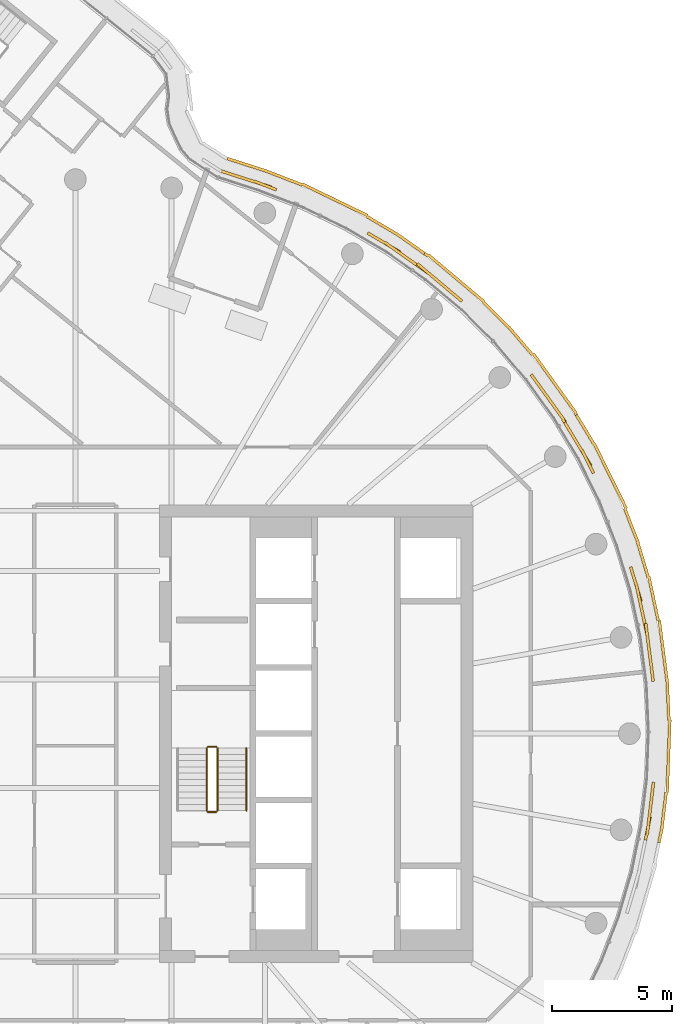
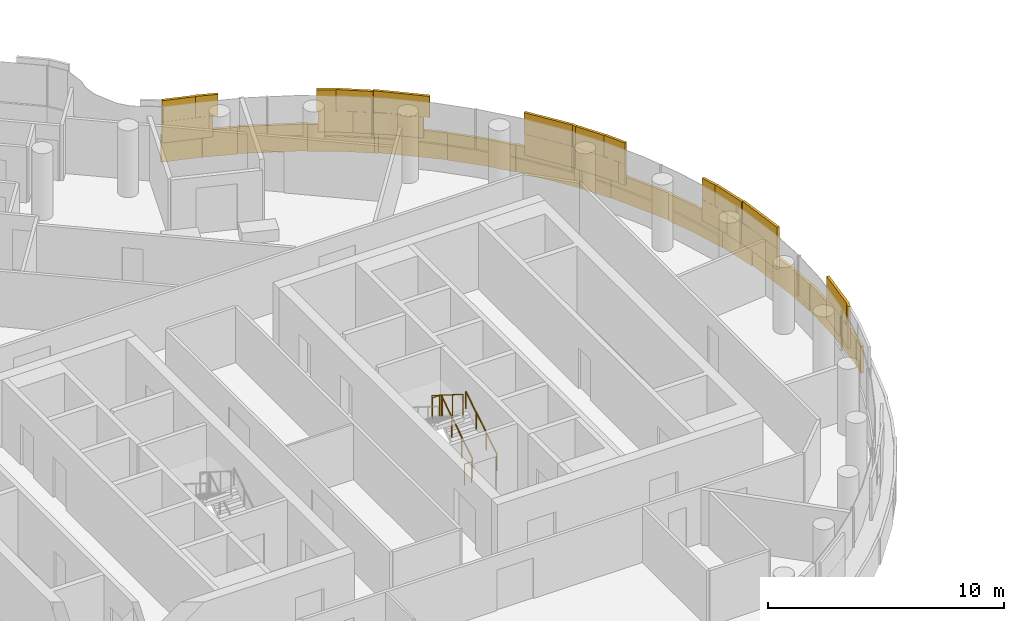
# One storey, part 23 of 25: 5 railings, 4 coverings.
"""IFC4 building model written with IfcOpenShell, lengths in metres."""

from ifc_helpers import new_model, si_unit, direction, frame, origin, origin_2d, place, context, subcontext, project, spatial, rectangle, circle, extrude, material, layer, layer_set, type_object, element, save


model = new_model("IFC4")

# Units and contexts
model_context = context("Model", 3, precision=1e-05, world=origin(), true_north=direction((0.0, 1.0)))
body_context = subcontext(model_context, "Body", "Model", "MODEL_VIEW")
ifc_project = project(units=[si_unit("LENGTHUNIT", "METRE"), si_unit("AREAUNIT", "SQUARE_METRE"), si_unit("VOLUMEUNIT", "CUBIC_METRE"), si_unit("PLANEANGLEUNIT", "RADIAN"), si_unit("MASSUNIT", "GRAM", prefix="KILO")], contexts=[model_context])

# Site, building, storey
site_placement = place(None, origin())
site = spatial("IfcSite", under=ifc_project, at=site_placement, CompositionType="ELEMENT")
building_placement = place(site_placement, origin())
building = spatial("IfcBuilding", under=site, at=building_placement, Name="Tamarind Cross Interchange Tower", CompositionType="ELEMENT")
storey_placement = place(building_placement, frame((0.0, 0.0, 219.89990234375)))
storey = spatial("IfcBuildingStorey", under=building, at=storey_placement, Name="L55", CompositionType="ELEMENT", Elevation=219.89990234375)

# Railings
ifc_material_1 = material(Name="Stair guard")
railing_type_1 = type_object("IfcRailingType", Name="Stair guard", PredefinedType="GUARDRAIL", material=ifc_material_1)
railing_1_placement = place(storey_placement, frame((5.89990234375, -3.199951171875, 0.163818359375)))
element("IfcRailing", 1, at=railing_1_placement, inside=storey, type_object=railing_type_1, Name="L55 ST2 stair guard 1", PredefinedType="GUARDRAIL", context=body_context, shape_type="SweptSolid", body=[
    extrude(circle(Radius=0.02392578125, at=origin_2d()), frame((0.0, 0.0, 1.076171875), z_axis=(0.0, 0.846337672412, 0.532646734952), x_axis=(-1.0, 0.0, 0.0)), (0.0, 0.0, 1.0), 3.07177734375),
    extrude(circle(Radius=0.02099609375, at=origin_2d()), origin(), (0.0, 0.0, 1.0), 1.052001953125),
    extrude(circle(Radius=0.02099609375, at=origin_2d()), frame((0.0, 0.86669921875, 0.54541015625)), (0.0, 0.0, 1.0), 1.052001953125),
    extrude(circle(Radius=0.02099609375, at=origin_2d()), frame((0.0, 1.733154296875, 1.0908203125)), (0.0, 0.0, 1.0), 1.052001953125),
    extrude(circle(Radius=0.02099609375, at=origin_2d()), frame((0.0, 2.599853515625, 1.63623046875)), (0.0, 0.0, 1.0), 1.052001953125),
])
railing_2_placement = place(storey_placement, frame((5.85009765625, -0.550048828125, 1.800048828125)))
element("IfcRailing", 2, at=railing_2_placement, inside=storey, type_object=railing_type_1, Name="L55 ST2 stair guard 2", PredefinedType="GUARDRAIL", context=body_context, shape_type="SweptSolid", body=[
    extrude(circle(Radius=0.02392578125, at=origin_2d()), frame((0.0, 0.0, 1.076171875), z_axis=(-1.0, 0.0, 0.0), x_axis=(0.0, -1.0, 0.0)), (0.0, 0.0, 1.0), 0.35009765625),
    extrude(circle(Radius=0.02099609375, at=origin_2d()), origin(), (0.0, 0.0, 1.0), 1.052001953125),
    extrude(circle(Radius=0.02099609375, at=origin_2d()), frame((-0.35009765625, 0.0, 0.0)), (0.0, 0.0, 1.0), 1.052001953125),
])
railing_3_placement = place(storey_placement, frame((5.449951171875, -0.60009765625, 1.963623046875)))
element("IfcRailing", 3, at=railing_3_placement, inside=storey, type_object=railing_type_1, Name="L55 ST2 stair guard 3", PredefinedType="GUARDRAIL", context=body_context, shape_type="SweptSolid", body=[
    extrude(circle(Radius=0.02392578125, at=origin_2d()), frame((0.0, 0.0, 1.076171875), z_axis=(0.0, -0.846301844409, 0.532703658848), x_axis=(1.0, 0.0, 0.0)), (0.0, 0.0, 1.0), 3.072021484375),
    extrude(circle(Radius=0.02099609375, at=origin_2d()), origin(), (0.0, 0.0, 1.0), 1.052001953125),
    extrude(circle(Radius=0.02099609375, at=origin_2d()), frame((0.0, -0.86669921875, 0.54541015625)), (0.0, 0.0, 1.0), 1.052001953125),
    extrude(circle(Radius=0.02099609375, at=origin_2d()), frame((0.0, -1.733154296875, 1.091064453125)), (0.0, 0.0, 1.0), 1.052001953125),
    extrude(circle(Radius=0.02099609375, at=origin_2d()), frame((0.0, -2.599853515625, 1.636474609375)), (0.0, 0.0, 1.0), 1.052001953125),
])
railing_4_placement = place(storey_placement, frame((5.85009765625, -3.25, 0.0)))
element("IfcRailing", 4, at=railing_4_placement, inside=storey, type_object=railing_type_1, Name="L55 ST2 stair guard 4", PredefinedType="GUARDRAIL", context=body_context, shape_type="SweptSolid", body=[
    extrude(circle(Radius=0.02392578125, at=origin_2d()), frame((0.0, 0.0, 1.076171875), z_axis=(-1.0, 0.0, 0.0), x_axis=(0.0, -1.0, 0.0)), (0.0, 0.0, 1.0), 0.35009765625),
    extrude(circle(Radius=0.02099609375, at=origin_2d()), origin(), (0.0, 0.0, 1.0), 1.052001953125),
    extrude(circle(Radius=0.02099609375, at=origin_2d()), frame((-0.35009765625, 0.0, 0.0)), (0.0, 0.0, 1.0), 1.052001953125),
])
ifc_material_2 = material(Name="Stair handrail")
railing_type_2 = type_object("IfcRailingType", Name="Stair handrail", PredefinedType="HANDRAIL", material=ifc_material_2)
railing_5_placement = place(storey_placement, frame((7.10009765625, -3.199951171875, 0.163818359375)))
element("IfcRailing", 5, at=railing_5_placement, inside=storey, type_object=railing_type_2, Name="L55 ST2 stair handrail 1", PredefinedType="HANDRAIL", context=body_context, shape_type="SweptSolid", body=[
    extrude(circle(Radius=0.02392578125, at=origin_2d()), frame((0.0, 0.0, 0.8759765625), z_axis=(0.0, 0.846337672412, 0.532646734952), x_axis=(-1.0, 0.0, 0.0)), (0.0, 0.0, 1.0), 3.07177734375),
    extrude(circle(Radius=0.02099609375, at=origin_2d()), origin(), (0.0, 0.0, 1.0), 0.851806640625),
    extrude(circle(Radius=0.02099609375, at=origin_2d()), frame((0.0, 0.86669921875, 0.54541015625)), (0.0, 0.0, 1.0), 0.851806640625),
    extrude(circle(Radius=0.02099609375, at=origin_2d()), frame((0.0, 1.733154296875, 1.0908203125)), (0.0, 0.0, 1.0), 0.851806640625),
    extrude(circle(Radius=0.02099609375, at=origin_2d()), frame((0.0, 2.599853515625, 1.63623046875)), (0.0, 0.0, 1.0), 0.851806640625),
])

# Coverings
ifc_material_3 = material(Name="Terracotta", Category="masonry")
ifc_layer = layer(ifc_material_3, 0.1201171875)
ifc_layer_set = layer_set([ifc_layer], Name="Terracotta")
covering_type = type_object("IfcCoveringType", Name="Terracotta baguette screen unit", PredefinedType="MOLDING", material=ifc_layer_set)
covering_1_placement = place(storey_placement, origin())
element("IfcCovering", 6, at=covering_1_placement, inside=storey, type_object=covering_type, Name="SCR-L55-02-06", PredefinedType="MOLDING", context=body_context, shape_type="SweptSolid", body=[
    extrude(rectangle(XDim=0.984130859375, YDim=0.1201171875, at=origin_2d()), frame((23.758544921875, -3.938720703125, 1.404296875), z_axis=(0.0, 0.0, 1.0), x_axis=(0.201001463943, 0.9795909409, 0.0)), (0.0, 0.0, 1.0), 1.092041015625),
    extrude(rectangle(XDim=1.457275390625, YDim=0.1201171875, at=origin_2d()), frame((23.90966796875, -2.73779296875, 1.404296875), z_axis=(0.0, 0.0, 1.0), x_axis=(0.119420963295, 0.992843710523, 0.0)), (0.0, 0.0, 1.0), 1.092041015625),
    extrude(rectangle(XDim=0.36279296875, YDim=0.1201171875, at=origin_2d()), frame((23.961669921875, 2.350341796875, 1.404296875), z_axis=(0.0, 0.0, 1.0), x_axis=(-0.127962008342, 0.991779070368, 0.0)), (0.0, 0.0, 1.0), 1.092041015625),
    extrude(rectangle(XDim=1.52001953125, YDim=0.1201171875, at=origin_2d()), frame((23.843017578125, 3.26904296875, 1.404296875), z_axis=(0.0, 0.0, 1.0), x_axis=(-0.127962008342, 0.991779070368, 0.0)), (0.0, 0.0, 1.0), 1.092041015625),
    extrude(rectangle(XDim=0.578369140625, YDim=0.1201171875, at=origin_2d()), frame((23.692138671875, 4.291748046875, 1.404296875), z_axis=(0.0, 0.0, 1.0), x_axis=(-0.209425419705, 0.977824623121, 0.0)), (0.0, 0.0, 1.0), 1.092041015625),
    extrude(rectangle(XDim=0.234130859375, YDim=0.1201171875, at=origin_2d()), frame((23.683349609375, -4.30615234375, 2.50390625), z_axis=(0.0, 0.0, 1.0), x_axis=(0.201001463943, 0.9795909409, 0.0)), (0.0, 0.0, 1.0), 1.092041015625),
    extrude(rectangle(XDim=1.52001953125, YDim=0.1201171875, at=origin_2d()), frame((23.8232421875, -3.456298828125, 2.50390625), z_axis=(0.0, 0.0, 1.0), x_axis=(0.119420963295, 0.992843710523, 0.0)), (0.0, 0.0, 1.0), 1.092041015625),
    extrude(rectangle(XDim=0.707275390625, YDim=0.1201171875, at=origin_2d()), frame((23.954345703125, -2.365478515625, 2.50390625), z_axis=(0.0, 0.0, 1.0), x_axis=(0.119420963295, 0.992843710523, 0.0)), (0.0, 0.0, 1.0), 1.092041015625),
    extrude(rectangle(XDim=1.11279296875, YDim=0.1201171875, at=origin_2d()), frame((23.91357421875, 2.72216796875, 2.50390625), z_axis=(0.0, 0.0, 1.0), x_axis=(-0.127962008342, 0.991779070368, 0.0)), (0.0, 0.0, 1.0), 1.092041015625),
    extrude(rectangle(XDim=1.328369140625, YDim=0.1201171875, at=origin_2d()), frame((23.7587890625, 3.9228515625, 2.50390625), z_axis=(0.0, 0.0, 1.0), x_axis=(-0.127962008342, 0.991779070368, 0.0)), (0.0, 0.0, 1.0), 1.092041015625),
    extrude(rectangle(XDim=0.627197265625, YDim=0.1201171875, at=origin_2d()), frame((24.2880859375, -4.214111328125, 0.004150390625), z_axis=(0.0, 0.0, 1.0), x_axis=(0.201001463943, 0.9795909409, 0.0)), (0.0, 0.0, 1.0), 1.39208984375),
    extrude(rectangle(XDim=1.52001953125, YDim=0.1201171875, at=origin_2d()), frame((24.435546875, -3.171630859375, 0.004150390625), z_axis=(0.0, 0.0, 1.0), x_axis=(0.119420963295, 0.992843710523, 0.0)), (0.0, 0.0, 1.0), 1.39208984375),
    extrude(rectangle(XDim=1.52001953125, YDim=0.1201171875, at=origin_2d()), frame((24.593994140625, -1.6806640625, 0.004150390625), z_axis=(0.0, 0.0, 1.0), x_axis=(0.037024696392, 0.999314350871, 0.0)), (0.0, 0.0, 1.0), 1.39208984375),
    extrude(rectangle(XDim=1.52001953125, YDim=0.1201171875, at=origin_2d()), frame((24.649658203125, -0.181640625, 0.004150390625), z_axis=(0.0, 0.0, 1.0), x_axis=(0.037024696392, 0.999314350871, 0.0)), (0.0, 0.0, 1.0), 1.39208984375),
    extrude(rectangle(XDim=1.52001953125, YDim=0.1201171875, at=origin_2d()), frame((24.60498046875, 1.31689453125, 0.004150390625), z_axis=(0.0, 0.0, 1.0), x_axis=(-0.045624486728, 0.998958660912, 0.0)), (0.0, 0.0, 1.0), 1.39208984375),
    extrude(rectangle(XDim=1.52001953125, YDim=0.1201171875, at=origin_2d()), frame((24.481201171875, 2.810546875, 0.004150390625), z_axis=(0.0, 0.0, 1.0), x_axis=(-0.127962008342, 0.991779070368, 0.0)), (0.0, 0.0, 1.0), 1.39208984375),
    extrude(rectangle(XDim=1.151123046875, YDim=0.1201171875, at=origin_2d()), frame((24.312744140625, 4.115234375, 0.004150390625), z_axis=(0.0, 0.0, 1.0), x_axis=(-0.127962008342, 0.991779070368, 0.0)), (0.0, 0.0, 1.0), 1.39208984375),
])
covering_2_placement = place(storey_placement, origin())
element("IfcCovering", 7, at=covering_2_placement, inside=storey, type_object=covering_type, Name="SCR-L55-02-07", PredefinedType="MOLDING", context=body_context, shape_type="SweptSolid", body=[
    extrude(rectangle(XDim=0.94140625, YDim=0.1201171875, at=origin_2d()), frame((23.534912109375, 5.025146484375, 1.404296875), z_axis=(0.0, 0.0, 1.0), x_axis=(-0.209425419705, 0.977824623121, 0.0)), (0.0, 0.0, 1.0), 1.092041015625),
    extrude(rectangle(XDim=1.500244140625, YDim=0.1201171875, at=origin_2d()), frame((23.265380859375, 6.204833984375, 1.404296875), z_axis=(0.0, 0.0, 1.0), x_axis=(-0.289458243079, 0.957190642199, 0.0)), (0.0, 0.0, 1.0), 1.092041015625),
    extrude(rectangle(XDim=0.31982421875, YDim=0.1201171875, at=origin_2d()), frame((21.43115234375, 10.952392578125, 1.404296875), z_axis=(0.0, 0.0, 1.0), x_axis=(-0.443058811505, 0.896492548518, 0.0)), (0.0, 0.0, 1.0), 1.092041015625),
    extrude(rectangle(XDim=1.52001953125, YDim=0.1201171875, at=origin_2d()), frame((21.013427734375, 11.75439453125, 1.404296875), z_axis=(0.0, 0.0, 1.0), x_axis=(-0.515577308909, 0.856843065292, 0.0)), (0.0, 0.0, 1.0), 1.092041015625),
    extrude(rectangle(XDim=0.621826171875, YDim=0.1201171875, at=origin_2d()), frame((20.468994140625, 12.6591796875, 1.404296875), z_axis=(0.0, 0.0, 1.0), x_axis=(-0.515577308909, 0.856843065292, 0.0)), (0.0, 0.0, 1.0), 1.092041015625),
    extrude(rectangle(XDim=0.19140625, YDim=0.1201171875, at=origin_2d()), frame((23.613525390625, 4.658447265625, 2.50390625), z_axis=(0.0, 0.0, 1.0), x_axis=(-0.209425419705, 0.977824623121, 0.0)), (0.0, 0.0, 1.0), 1.092041015625),
    extrude(rectangle(XDim=1.52001953125, YDim=0.1201171875, at=origin_2d()), frame((23.4375, 5.48046875, 2.50390625), z_axis=(0.0, 0.0, 1.0), x_axis=(-0.209425419705, 0.977824623121, 0.0)), (0.0, 0.0, 1.0), 1.092041015625),
    extrude(rectangle(XDim=0.750244140625, YDim=0.1201171875, at=origin_2d()), frame((23.15673828125, 6.56396484375, 2.50390625), z_axis=(0.0, 0.0, 1.0), x_axis=(-0.289458243079, 0.957190642199, 0.0)), (0.0, 0.0, 1.0), 1.092041015625),
    extrude(rectangle(XDim=1.06982421875, YDim=0.1201171875, at=origin_2d()), frame((21.26513671875, 11.28857421875, 2.50390625), z_axis=(0.0, 0.0, 1.0), x_axis=(-0.443058811505, 0.896492548518, 0.0)), (0.0, 0.0, 1.0), 1.092041015625),
    extrude(rectangle(XDim=1.371826171875, YDim=0.1201171875, at=origin_2d()), frame((20.662353515625, 12.337890625, 2.50390625), z_axis=(0.0, 0.0, 1.0), x_axis=(-0.515577308909, 0.856843065292, 0.0)), (0.0, 0.0, 1.0), 1.092041015625),
    extrude(rectangle(XDim=0.368896484375, YDim=0.1201171875, at=origin_2d()), frame((24.157470703125, 4.85888671875, 0.004150390625), z_axis=(0.0, 0.0, 1.0), x_axis=(-0.209425419705, 0.977824623121, 0.0)), (0.0, 0.0, 1.0), 1.39208984375),
    extrude(rectangle(XDim=1.52001953125, YDim=0.1201171875, at=origin_2d()), frame((23.9638671875, 5.762939453125, 0.004150390625), z_axis=(0.0, 0.0, 1.0), x_axis=(-0.209425419705, 0.977824623121, 0.0)), (0.0, 0.0, 1.0), 1.39208984375),
    extrude(rectangle(XDim=1.52001953125, YDim=0.1201171875, at=origin_2d()), frame((23.56201171875, 7.20703125, 0.004150390625), z_axis=(0.0, 0.0, 1.0), x_axis=(-0.289458243079, 0.957190642199, 0.0)), (0.0, 0.0, 1.0), 1.39208984375),
    extrude(rectangle(XDim=1.52001953125, YDim=0.1201171875, at=origin_2d()), frame((23.084228515625, 8.627685546875, 0.004150390625), z_axis=(0.0, 0.0, 1.0), x_axis=(-0.367513773146, 0.930018078613, 0.0)), (0.0, 0.0, 1.0), 1.39208984375),
    extrude(rectangle(XDim=1.52001953125, YDim=0.1201171875, at=origin_2d()), frame((22.53125, 10.02197265625, 0.004150390625), z_axis=(0.0, 0.0, 1.0), x_axis=(-0.443058811505, 0.896492548518, 0.0)), (0.0, 0.0, 1.0), 1.39208984375),
    extrude(rectangle(XDim=1.52001953125, YDim=0.1201171875, at=origin_2d()), frame((21.86669921875, 11.36669921875, 0.004150390625), z_axis=(0.0, 0.0, 1.0), x_axis=(-0.443058811505, 0.896492548518, 0.0)), (0.0, 0.0, 1.0), 1.39208984375),
    extrude(rectangle(XDim=1.41015625, YDim=0.1201171875, at=origin_2d()), frame((21.1591796875, 12.62548828125, 0.004150390625), z_axis=(0.0, 0.0, 1.0), x_axis=(-0.515577308909, 0.856843065292, 0.0)), (0.0, 0.0, 1.0), 1.39208984375),
])
covering_3_placement = place(storey_placement, origin())
element("IfcCovering", 8, at=covering_3_placement, inside=storey, type_object=covering_type, Name="SCR-L55-02-08", PredefinedType="MOLDING", context=body_context, shape_type="SweptSolid", body=[
    extrude(rectangle(XDim=0.898193359375, YDim=0.1201171875, at=origin_2d()), frame((20.078857421875, 13.299560546875, 1.404296875), z_axis=(0.0, 0.0, 1.0), x_axis=(-0.584573890505, 0.811340475102, 0.0)), (0.0, 0.0, 1.0), 1.092041015625),
    extrude(rectangle(XDim=1.52001953125, YDim=0.1201171875, at=origin_2d()), frame((19.380859375, 14.2685546875, 1.404296875), z_axis=(0.0, 0.0, 1.0), x_axis=(-0.584573890505, 0.811340475102, 0.0)), (0.0, 0.0, 1.0), 1.092041015625),
    extrude(rectangle(XDim=1.52001953125, YDim=0.1201171875, at=origin_2d()), frame((15.263671875, 18.607421875, 1.404296875), z_axis=(0.0, 0.0, 1.0), x_axis=(-0.765858396687, 0.643009266048, 0.0)), (0.0, 0.0, 1.0), 1.092041015625),
    extrude(rectangle(XDim=0.66455078125, YDim=0.1201171875, at=origin_2d()), frame((14.420654296875, 19.27685546875, 1.404296875), z_axis=(0.0, 0.0, 1.0), x_axis=(-0.816341886298, 0.577568978284, 0.0)), (0.0, 0.0, 1.0), 1.092041015625),
    extrude(rectangle(XDim=0.148193359375, YDim=0.1201171875, at=origin_2d()), frame((20.275634765625, 12.98046875, 2.50390625), z_axis=(0.0, 0.0, 1.0), x_axis=(-0.515577308909, 0.856843065292, 0.0)), (0.0, 0.0, 1.0), 1.092041015625),
    extrude(rectangle(XDim=1.52001953125, YDim=0.1201171875, at=origin_2d()), frame((19.8193359375, 13.659912109375, 2.50390625), z_axis=(0.0, 0.0, 1.0), x_axis=(-0.584573890505, 0.811340475102, 0.0)), (0.0, 0.0, 1.0), 1.092041015625),
    extrude(rectangle(XDim=0.793212890625, YDim=0.1201171875, at=origin_2d()), frame((19.15185546875, 14.586181640625, 2.50390625), z_axis=(0.0, 0.0, 1.0), x_axis=(-0.584573890505, 0.811340475102, 0.0)), (0.0, 0.0, 1.0), 1.092041015625),
    extrude(rectangle(XDim=1.02685546875, YDim=0.1201171875, at=origin_2d()), frame((15.653076171875, 18.280517578125, 2.50390625), z_axis=(0.0, 0.0, 1.0), x_axis=(-0.765858396687, 0.643009266048, 0.0)), (0.0, 0.0, 1.0), 1.092041015625),
    extrude(rectangle(XDim=1.41455078125, YDim=0.1201171875, at=origin_2d()), frame((14.72607421875, 19.05908203125, 2.50390625), z_axis=(0.0, 0.0, 1.0), x_axis=(-0.765858396687, 0.643009266048, 0.0)), (0.0, 0.0, 1.0), 1.092041015625),
    extrude(rectangle(XDim=0.10986328125, YDim=0.1201171875, at=origin_2d()), frame((20.767333984375, 13.276611328125, 0.004150390625), z_axis=(0.0, 0.0, 1.0), x_axis=(-0.515577308909, 0.856843065292, 0.0)), (0.0, 0.0, 1.0), 1.39208984375),
    extrude(rectangle(XDim=1.52001953125, YDim=0.1201171875, at=origin_2d()), frame((20.326904296875, 13.9375, 0.004150390625), z_axis=(0.0, 0.0, 1.0), x_axis=(-0.584573890505, 0.811340475102, 0.0)), (0.0, 0.0, 1.0), 1.39208984375),
    extrude(rectangle(XDim=1.52001953125, YDim=0.1201171875, at=origin_2d()), frame((19.449951171875, 15.154541015625, 0.004150390625), z_axis=(0.0, 0.0, 1.0), x_axis=(-0.584573890505, 0.811340475102, 0.0)), (0.0, 0.0, 1.0), 1.39208984375),
    extrude(rectangle(XDim=1.52001953125, YDim=0.1201171875, at=origin_2d()), frame((18.481689453125, 16.2998046875, 0.004150390625), z_axis=(0.0, 0.0, 1.0), x_axis=(-0.64957723968, 0.760295606781, 0.0)), (0.0, 0.0, 1.0), 1.39208984375),
    extrude(rectangle(XDim=1.52001953125, YDim=0.1201171875, at=origin_2d()), frame((17.45458984375, 17.391357421875, 0.004150390625), z_axis=(0.0, 0.0, 1.0), x_axis=(-0.710143317658, 0.704057148523, 0.0)), (0.0, 0.0, 1.0), 1.39208984375),
    extrude(rectangle(XDim=1.52001953125, YDim=0.1201171875, at=origin_2d()), frame((16.37109375, 18.42724609375, 0.004150390625), z_axis=(0.0, 0.0, 1.0), x_axis=(-0.765858396687, 0.643009266048, 0.0)), (0.0, 0.0, 1.0), 1.39208984375),
    extrude(rectangle(XDim=1.52001953125, YDim=0.1201171875, at=origin_2d()), frame((15.222412109375, 19.391845703125, 0.004150390625), z_axis=(0.0, 0.0, 1.0), x_axis=(-0.765858396687, 0.643009266048, 0.0)), (0.0, 0.0, 1.0), 1.39208984375),
    extrude(rectangle(XDim=0.16845703125, YDim=0.1201171875, at=origin_2d()), frame((14.56005859375, 19.88134765625, 0.004150390625), z_axis=(0.0, 0.0, 1.0), x_axis=(-0.816341886298, 0.577568978284, 0.0)), (0.0, 0.0, 1.0), 1.39208984375),
])
covering_4_placement = place(storey_placement, origin())
element("IfcCovering", 9, at=covering_4_placement, inside=storey, type_object=covering_type, Name="SCR-L55-02-09", PredefinedType="MOLDING", context=body_context, shape_type="SweptSolid", body=[
    extrude(rectangle(XDim=0.85546875, YDim=0.1201171875, at=origin_2d()), frame((13.80859375, 19.7099609375, 1.404296875), z_axis=(0.0, 0.0, 1.0), x_axis=(-0.816341886298, 0.577568978284, 0.0)), (0.0, 0.0, 1.0), 1.092041015625),
    extrude(rectangle(XDim=1.52001953125, YDim=0.1201171875, at=origin_2d()), frame((12.838134765625, 20.3671875, 1.404296875), z_axis=(0.0, 0.0, 1.0), x_axis=(-0.861248933065, 0.508183308752, 0.0)), (0.0, 0.0, 1.0), 1.092041015625),
    extrude(rectangle(XDim=1.52001953125, YDim=0.1201171875, at=origin_2d()), frame((7.421142578125, 22.911376953125, 1.404296875), z_axis=(0.0, 0.0, 1.0), x_axis=(-0.951959313024, 0.306224535834, 0.0)), (0.0, 0.0, 1.0), 1.092041015625),
    extrude(rectangle(XDim=0.690673828125, YDim=0.1201171875, at=origin_2d()), frame((6.383056640625, 23.245361328125, 1.404296875), z_axis=(0.0, 0.0, 1.0), x_axis=(-0.951959313024, 0.306224535834, 0.0)), (0.0, 0.0, 1.0), 1.092041015625),
    extrude(rectangle(XDim=0.10546875, YDim=0.1201171875, at=origin_2d()), frame((14.11474609375, 19.493408203125, 2.50390625), z_axis=(0.0, 0.0, 1.0), x_axis=(-0.816341886298, 0.577568978284, 0.0)), (0.0, 0.0, 1.0), 1.092041015625),
    extrude(rectangle(XDim=1.52001953125, YDim=0.1201171875, at=origin_2d()), frame((13.46337890625, 19.9541015625, 2.50390625), z_axis=(0.0, 0.0, 1.0), x_axis=(-0.816341886298, 0.577568978284, 0.0)), (0.0, 0.0, 1.0), 1.092041015625),
    extrude(rectangle(XDim=0.82763671875, YDim=0.1201171875, at=origin_2d()), frame((12.486083984375, 20.574951171875, 2.50390625), z_axis=(0.0, 0.0, 1.0), x_axis=(-0.861248933065, 0.508183308752, 0.0)), (0.0, 0.0, 1.0), 1.092041015625),
    extrude(rectangle(XDim=0.992431640625, YDim=0.1201171875, at=origin_2d()), frame((7.885498046875, 22.751708984375, 2.50390625), z_axis=(0.0, 0.0, 1.0), x_axis=(-0.933146843667, 0.359495435512, 0.0)), (0.0, 0.0, 1.0), 1.092041015625),
    extrude(rectangle(XDim=1.440673828125, YDim=0.1201171875, at=origin_2d()), frame((6.739990234375, 23.13037109375, 2.50390625), z_axis=(0.0, 0.0, 1.0), x_axis=(-0.951959313024, 0.306224535834, 0.0)), (0.0, 0.0, 1.0), 1.092041015625),
    extrude(rectangle(XDim=1.3515625, YDim=0.1201171875, at=origin_2d()), frame((13.939453125, 20.3203125, 0.004150390625), z_axis=(0.0, 0.0, 1.0), x_axis=(-0.816341886298, 0.577568978284, 0.0)), (0.0, 0.0, 1.0), 1.39208984375),
    extrude(rectangle(XDim=1.52001953125, YDim=0.1201171875, at=origin_2d()), frame((12.75, 21.0859375, 0.004150390625), z_axis=(0.0, 0.0, 1.0), x_axis=(-0.861248933065, 0.508183308752, 0.0)), (0.0, 0.0, 1.0), 1.39208984375),
    extrude(rectangle(XDim=1.52001953125, YDim=0.1201171875, at=origin_2d()), frame((11.44970703125, 21.832275390625, 0.004150390625), z_axis=(0.0, 0.0, 1.0), x_axis=(-0.900272776334, 0.435326231914, 0.0)), (0.0, 0.0, 1.0), 1.39208984375),
    extrude(rectangle(XDim=1.52001953125, YDim=0.1201171875, at=origin_2d()), frame((10.099365234375, 22.4853515625, 0.004150390625), z_axis=(0.0, 0.0, 1.0), x_axis=(-0.900272776334, 0.435326231914, 0.0)), (0.0, 0.0, 1.0), 1.39208984375),
    extrude(rectangle(XDim=1.52001953125, YDim=0.1201171875, at=origin_2d()), frame((8.710205078125, 23.049072265625, 0.004150390625), z_axis=(0.0, 0.0, 1.0), x_axis=(-0.933146843667, 0.359495435512, 0.0)), (0.0, 0.0, 1.0), 1.39208984375),
    extrude(rectangle(XDim=1.52001953125, YDim=0.1201171875, at=origin_2d()), frame((7.29833984375, 23.553955078125, 0.004150390625), z_axis=(0.0, 0.0, 1.0), x_axis=(-0.951959313024, 0.306224535834, 0.0)), (0.0, 0.0, 1.0), 1.39208984375),
    extrude(rectangle(XDim=0.303466796875, YDim=0.1201171875, at=origin_2d()), frame((6.449462890625, 23.826904296875, 0.004150390625), z_axis=(0.0, 0.0, 1.0), x_axis=(-0.951959313024, 0.306224535834, 0.0)), (0.0, 0.0, 1.0), 1.39208984375),
])

save(model, "model.ifc")
